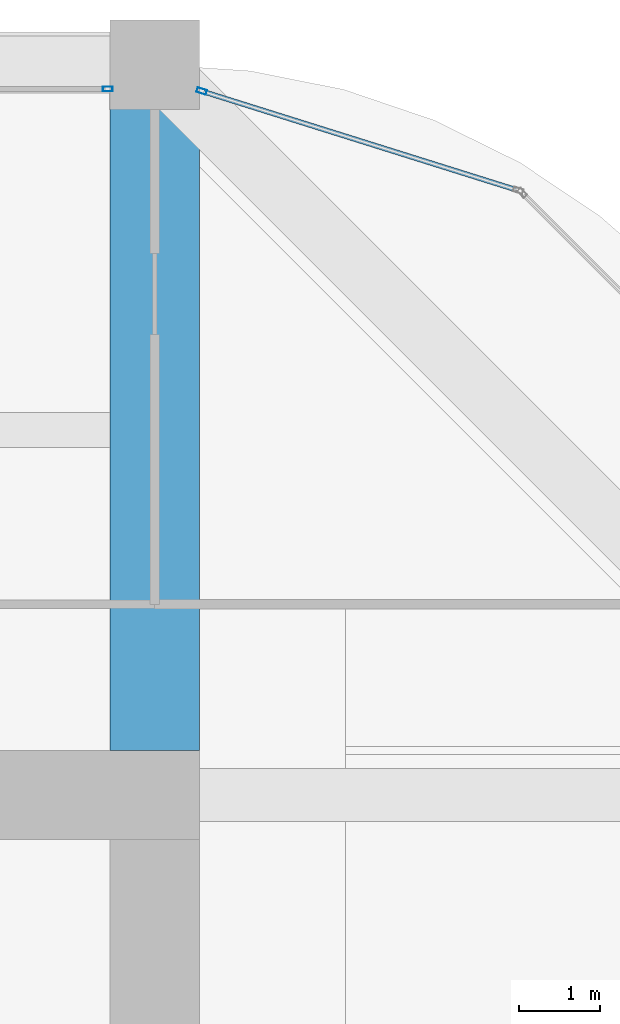
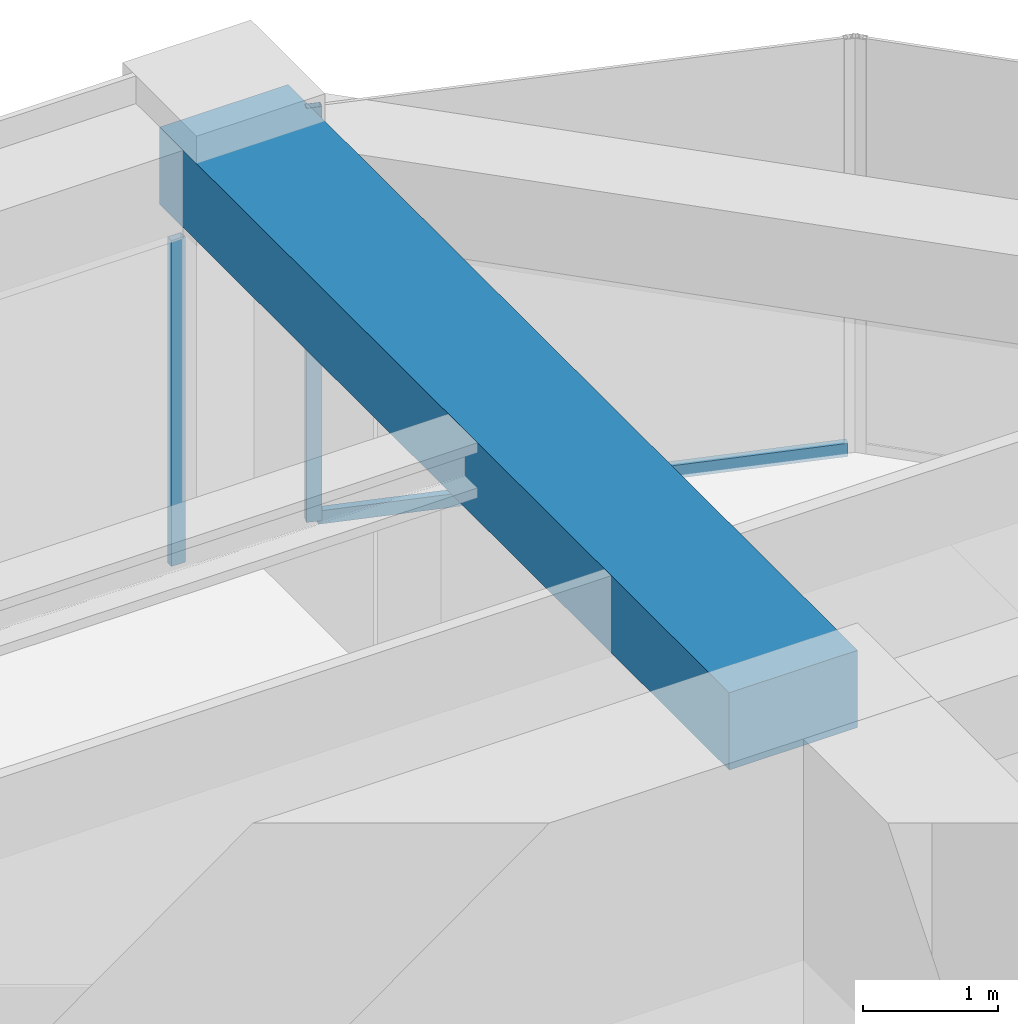
# One storey, part 37 of 44: 3 members, 1 beam, 2 elements without a shape of their own.
"""IFC4 building model written with IfcOpenShell, lengths in metres."""

from ifc_helpers import new_model, si_unit, direction, frame, origin, origin_2d, place, context, subcontext, project, spatial, rectangle, hollow_rectangle, extrude, material, material_profile, profile_set, type_object, element, aggregate, save


model = new_model("IFC4")

# Units and contexts
model_context = context("Model", 3, precision=1e-05, world=origin(), true_north=direction((0.0, 1.0)))
body_context = subcontext(model_context, "Body", "Model", "MODEL_VIEW")
ifc_project = project(units=[si_unit("LENGTHUNIT", "METRE"), si_unit("AREAUNIT", "SQUARE_METRE"), si_unit("VOLUMEUNIT", "CUBIC_METRE"), si_unit("PLANEANGLEUNIT", "RADIAN"), si_unit("MASSUNIT", "GRAM", prefix="KILO")], contexts=[model_context])

# Site, building, storey
site_placement = place(None, origin())
site = spatial("IfcSite", under=ifc_project, at=site_placement, CompositionType="ELEMENT")
building_placement = place(site_placement, origin())
building = spatial("IfcBuilding", under=site, at=building_placement, Name="Zorevar Civic Tower", CompositionType="ELEMENT")
storey_placement = place(building_placement, frame((0.0, 0.0, 267.39990234375)))
storey = spatial("IfcBuildingStorey", under=building, at=storey_placement, Name="L65", CompositionType="ELEMENT", Elevation=267.39990234375)

# Beam
ifc_material_1 = material(Name="Concrete C50/60", Category="concrete")
ifc_material_profile_1 = material_profile(ifc_material_1, rectangle(XDim=1.10009765625, YDim=0.699951171875, at=origin_2d()), Name="RC 1100x700")
ifc_profile_set_1 = profile_set([ifc_material_profile_1], Name="Concrete C50/60")
beam_type = type_object("IfcBeamType", Name="Beam RC 1100x700", PredefinedType="BEAM", material=ifc_profile_set_1)
beam_placement = place(storey_placement, frame((45.0, 36.550048828125, 3.400146484375), z_axis=(0.0, 1.0, 0.0), x_axis=(-1.0, 0.0, 0.0)))
element("IfcBeam", 1, at=beam_placement, inside=storey, type_object=beam_type, Name="Girder L66", PredefinedType="BEAM", context=body_context, shape_type="SweptSolid", body=[
    extrude(rectangle(XDim=1.10009765625, YDim=0.699951171875, at=origin_2d()), origin(), (0.0, 0.0, 1.0), 8.449951171875),
])

# Curtain wall, member
ifc_material_2 = material(Name="Dark grey solar-control glass in black aluminium frame", Category="aluminium")
curtain_wall_type = type_object("IfcCurtainWallType", Name="Curtain wall CW5 top zone", PredefinedType="NOTDEFINED", material=ifc_material_2)
curtain_wall_1_placement = place(storey_placement, origin())
curtain_wall_1 = element("IfcCurtainWall", 2, at=curtain_wall_1_placement, inside=storey, type_object=curtain_wall_type, Name="CW5 L65", PredefinedType="NOTDEFINED")
ifc_material_3 = material(Name="Aluminium, black anodised", Category="aluminium")
ifc_material_profile_2 = material_profile(ifc_material_3, hollow_rectangle(XDim=0.06005859375, YDim=0.1201171875, WallThickness=0.0029296875, at=origin_2d()), Name="AL 120x60x3")
ifc_profile_set_2 = profile_set([ifc_material_profile_2], Name="Aluminium, black anodised")
member_type_1 = type_object("IfcMemberType", Name="CW5 mullion AL 120x60x3", PredefinedType="MULLION", material=ifc_profile_set_2)
member_1_placement = place(storey_placement, frame((44.419921875, 44.699951171875, 0.0), z_axis=(0.0, 0.0, 1.0), x_axis=(0.0, 1.0, 0.0)))
member_1 = element("IfcMember", 3, at=member_1_placement, type_object=member_type_1, Name="CW5 mullion 3", PredefinedType="MULLION", context=body_context, shape_type="SweptSolid", body=[
    extrude(hollow_rectangle(XDim=0.06005859375, YDim=0.1201171875, WallThickness=0.0029296875, at=origin_2d()), origin(), (0.0, 0.0, 1.0), 2.9501953125),
])
aggregate(curtain_wall_1, [member_1])

# Curtain wall, members
curtain_wall_2_placement = place(storey_placement, origin())
curtain_wall_2 = element("IfcCurtainWall", 4, at=curtain_wall_2_placement, inside=storey, type_object=curtain_wall_type, Name="CW5 L65", PredefinedType="NOTDEFINED")
member_2_placement = place(storey_placement, frame((45.57861328125, 44.673583984375, 0.0), z_axis=(0.0, 0.0, 1.0), x_axis=(-0.299317920238, -0.954153437674, 0.0)))
member_2 = element("IfcMember", 5, at=member_2_placement, type_object=member_type_1, Name="CW5 mullion 2", PredefinedType="MULLION", context=body_context, shape_type="SweptSolid", body=[
    extrude(hollow_rectangle(XDim=0.06005859375, YDim=0.1201171875, WallThickness=0.0029296875, at=origin_2d()), origin(), (0.0, 0.0, 1.0), 3.75),
])
ifc_material_4 = material(Name="Aluminium, black anodised", Category="aluminium")
ifc_material_profile_3 = material_profile(ifc_material_4, hollow_rectangle(XDim=0.06005859375, YDim=0.1201171875, WallThickness=0.0029296875, at=origin_2d()), Name="AL 120x60x3")
ifc_profile_set_3 = profile_set([ifc_material_profile_3], Name="Aluminium, black anodised")
member_type_2 = type_object("IfcMemberType", Name="CW5 transom AL 120x60x3", PredefinedType="USERDEFINED", material=ifc_profile_set_3)
member_3_placement = place(storey_placement, frame((49.45068359375, 43.458984375, 0.030029296875), z_axis=(-0.954163457351, 0.299285978047, 0.0), x_axis=(-0.299285978047, -0.954163457351, 0.0)))
member_3 = element("IfcMember", 6, at=member_3_placement, type_object=member_type_2, Name="CW5 sill transom", ObjectType="TRANSOM", PredefinedType="USERDEFINED", context=body_context, shape_type="SweptSolid", body=[
    extrude(hollow_rectangle(XDim=0.06005859375, YDim=0.1201171875, WallThickness=0.0029296875, at=origin_2d()), origin(), (0.0, 0.0, 1.0), 4.028076171875),
])
aggregate(curtain_wall_2, [member_2, member_3])

save(model, "model.ifc")
